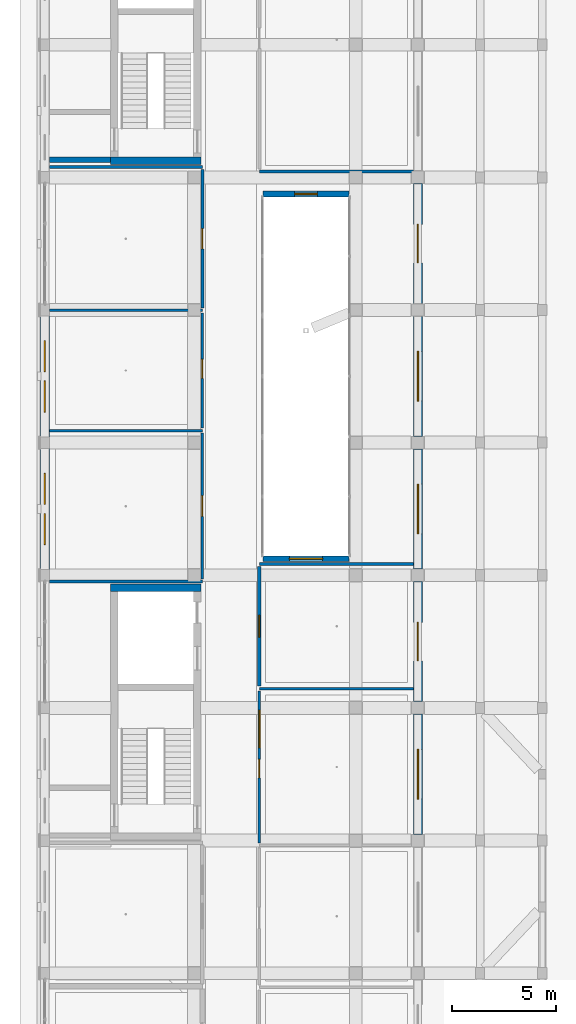
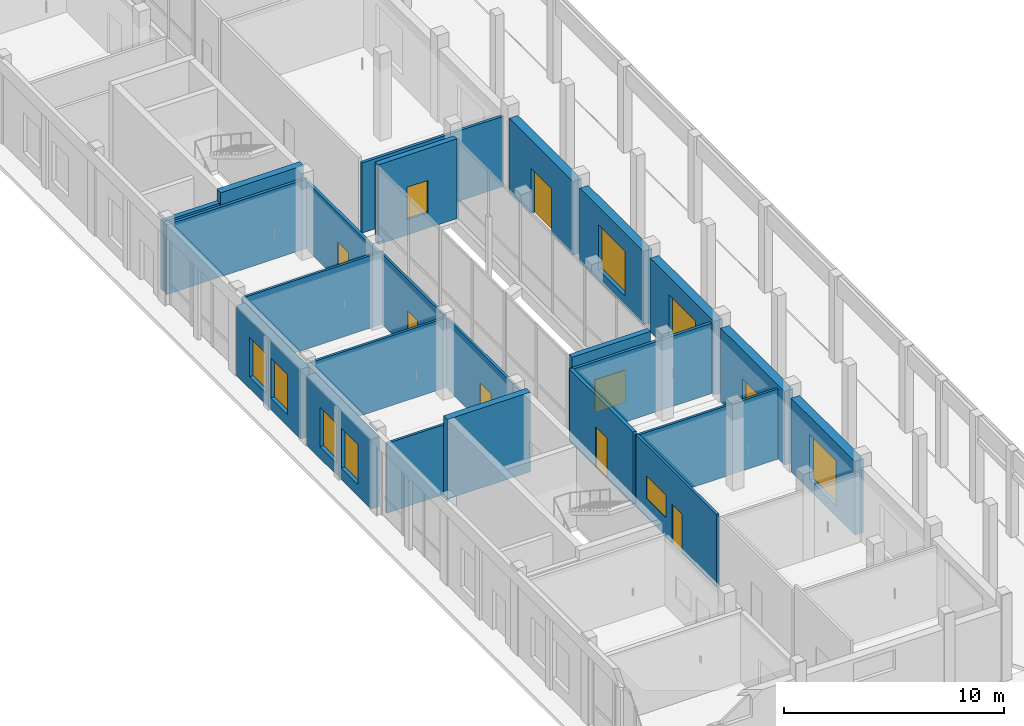
# One storey, part 47 of 88: 24 walls, 10 windows, 7 doors, 17 openings.
"""IFC4 building model written with IfcOpenShell, lengths in metres."""

import ifcopenshell
import ifcopenshell.guid

model = None  # the IFC model being written
_history = None  # IfcOwnerHistory: only IFC2X3 demands one
_inside = {}  # id of a spatial element -> (the spatial element, [elements in it])
_under = {}  # id of a project, library or spatial element -> (it, [spatial elements below it])
_declared = {}  # id of a project -> (the project, [libraries it declares])
_typed = {}  # id of a type object -> (the type object, [elements of that type])
_made_of = {}  # id of a material, layer set ... -> (it, [elements and type objects made of it])


def new_model(schema):
    """Start an empty IFC model of exactly this schema.

    Asked for "IFC4X3", IfcOpenShell would pick the latest addendum, in which some entities
    have other attributes; the version numbers below select the first issue.
    IFC2X3 requires an IfcOwnerHistory on every rooted entity: one is made here for all.
    """
    global model, _history
    if schema == "IFC4X3":
        model = ifcopenshell.file(schema_version=(4, 3, 0, 0))
    else:
        model = ifcopenshell.file(schema=schema)
    _inside.clear()
    _under.clear()
    _declared.clear()
    _typed.clear()
    _made_of.clear()
    _history = None
    if model.schema == "IFC2X3":
        org = make("IfcOrganization", Name="unknown")
        user = make(
            "IfcPersonAndOrganization",
            ThePerson=make("IfcPerson", FamilyName="unknown"),
            TheOrganization=org,
        )
        app = make(
            "IfcApplication",
            ApplicationDeveloper=org,
            Version="unknown",
            ApplicationFullName="unknown",
            ApplicationIdentifier="unknown",
        )
        _history = make(
            "IfcOwnerHistory",
            OwningUser=user,
            OwningApplication=app,
            ChangeAction="ADDED",
            CreationDate=0,
        )
    return model


def make(cls, **values):
    """One entity of the class cls with the attributes given. An attribute that is None is left unset."""
    return model.create_entity(
        cls, **{name: value for name, value in values.items() if value is not None}
    )


def rooted(cls, **values):
    """An entity with a GlobalId (a new one), such as an element, a storey or a relation."""
    return make(cls, GlobalId=ifcopenshell.guid.new(), OwnerHistory=_history, **values)


def si_unit(unit_type, name, prefix=None):
    """IfcSIUnit, for example si_unit("LENGTHUNIT", "METRE", prefix="MILLI")."""
    return make("IfcSIUnit", UnitType=unit_type, Prefix=prefix, Name=name)


def derived_unit(unit_type, elements):
    """IfcDerivedUnit: a product of units, each with its exponent."""
    return make(
        "IfcDerivedUnit",
        Elements=[
            make("IfcDerivedUnitElement", Unit=unit, Exponent=power)
            for unit, power in elements
        ],
        UnitType=unit_type,
    )


def assignment(units):
    """IfcUnitAssignment: the units of a project."""
    return None if units is None else make("IfcUnitAssignment", Units=units)


def point(xyz):
    """IfcCartesianPoint."""
    return None if xyz is None else make("IfcCartesianPoint", Coordinates=xyz)


def direction(xyz):
    """IfcDirection."""
    return None if xyz is None else make("IfcDirection", DirectionRatios=xyz)


def frame(location, z_axis=None, x_axis=None):
    """IfcAxis2Placement3D, a coordinate frame: its origin and axes. An axis left out is left unset."""
    return make(
        "IfcAxis2Placement3D",
        Location=point(location),
        Axis=direction(z_axis),
        RefDirection=direction(x_axis),
    )


def frame_2d(location, x_axis=None):
    """IfcAxis2Placement2D, a coordinate frame in the plane: its origin and x axis."""
    return make(
        "IfcAxis2Placement2D", Location=point(location), RefDirection=direction(x_axis)
    )


def origin():
    """The frame at (0, 0, 0) with its axes left unset."""
    return frame((0.0, 0.0, 0.0))


def origin_with_axes():
    """The frame at (0, 0, 0) with the z axis (0, 0, 1) and the x axis (1, 0, 0) written out."""
    return frame((0.0, 0.0, 0.0), z_axis=(0.0, 0.0, 1.0), x_axis=(1.0, 0.0, 0.0))


def place(relative_to, where):
    """IfcLocalPlacement: puts the frame where relative to a parent placement (None: the world)."""
    return make(
        "IfcLocalPlacement", PlacementRelTo=relative_to, RelativePlacement=where
    )


def context(
    kind, dimensions, precision=None, world=None, true_north=None, identifier=None
):
    """IfcGeometricRepresentationContext, for example the 3D "Model" context."""
    return make(
        "IfcGeometricRepresentationContext",
        ContextIdentifier=identifier,
        ContextType=kind,
        CoordinateSpaceDimension=dimensions,
        Precision=precision,
        WorldCoordinateSystem=world,
        TrueNorth=true_north,
    )


def subcontext(parent, identifier, kind, view, scale=None):
    """IfcGeometricRepresentationSubContext, for example "Body" below "Model"."""
    return make(
        "IfcGeometricRepresentationSubContext",
        ContextIdentifier=identifier,
        ContextType=kind,
        ParentContext=parent,
        TargetScale=scale,
        TargetView=view,
    )


def project(units=None, contexts=None):
    """IfcProject with its units and contexts."""
    return rooted(
        "IfcProject",
        Name="project",
        RepresentationContexts=contexts,
        UnitsInContext=assignment(units),
    )


def spatial(cls, under=None, at=None, **own):
    """A site, building, storey or space (cls), placed at a placement, below another one or the project."""
    s = rooted(cls, ObjectPlacement=at, **own)
    if under is not None:
        _under.setdefault(under.id(), (under, []))[1].append(s)
    return s


def profile(cls, at=None, kind="AREA", **sizes):
    """A parametric profile (cls). Its sizes go by their IFC names, for example OverallWidth=200.0."""
    return make(cls, ProfileType=kind, Position=at, **sizes)


def rectangle(**sizes):
    """IfcRectangleProfileDef."""
    return profile("IfcRectangleProfileDef", **sizes)


def extrude(swept, where, along, depth):
    """IfcExtrudedAreaSolid: the profile swept, set in the frame where, extruded along a direction by depth."""
    return make(
        "IfcExtrudedAreaSolid",
        SweptArea=swept,
        Position=where,
        ExtrudedDirection=direction(along),
        Depth=depth,
    )


def shape(context_of_items, identifier, shape_type, items):
    """IfcShapeRepresentation: the items that make up one representation, for example the "Body"."""
    return make(
        "IfcShapeRepresentation",
        ContextOfItems=context_of_items,
        RepresentationIdentifier=identifier,
        RepresentationType=shape_type,
        Items=items,
    )


def material(Name=None, Category=None):
    """IfcMaterial."""
    return make("IfcMaterial", Name=Name, Category=Category)


def layer(
    of_material, thickness, ventilated=None, Name=None, Category=None, Priority=None
):
    """IfcMaterialLayer: one layer of a wall or slab, of a material (None: an air gap)."""
    return make(
        "IfcMaterialLayer",
        Material=of_material,
        LayerThickness=thickness,
        IsVentilated=ventilated,
        Name=Name,
        Category=Category,
        Priority=Priority,
    )


def layer_set(layers, Name=None):
    """IfcMaterialLayerSet."""
    return make("IfcMaterialLayerSet", MaterialLayers=layers, LayerSetName=Name)


def made_of(thing, what):
    """Note that an element or type object is made of a material, layer set ...; save() writes the relation."""
    if what is not None:
        _made_of.setdefault(what.id(), (what, []))[1].append(thing)
    return thing


def type_object(cls, material=None, **own):
    """A type object (cls), such as IfcWallType, which elements share."""
    return made_of(rooted(cls, **own), material)


def element(
    cls,
    number,
    at=None,
    inside=None,
    cuts=None,
    type_object=None,
    material=None,
    context=None,
    identifier="Body",
    shape_type=None,
    held_by="IfcProductDefinitionShape",
    body=None,
    shapes=None,
    **own,
):
    """One element of the class cls, such as IfcWall. Its Tag is "e" and its number.

    at: its placement. inside: the storey or other place that contains it. cuts: it is an
    opening in that element (IfcRelVoidsElement). A single representation is given by context,
    identifier, shape_type and body (its items); several are given by shapes. held_by: the class
    of the entity that holds the representations. save() writes the other relations.
    """
    e = rooted(cls, Tag="e%d" % number, ObjectPlacement=at, **own)
    if body is not None:
        shapes = [shape(context, identifier, shape_type, body)]
    if shapes is not None:
        e.Representation = make(held_by, Representations=shapes)
    if inside is not None:
        _inside.setdefault(inside.id(), (inside, []))[1].append(e)
    if cuts is not None:
        rooted(
            "IfcRelVoidsElement", RelatingBuildingElement=cuts, RelatedOpeningElement=e
        )
    if type_object is not None:
        _typed.setdefault(type_object.id(), (type_object, []))[1].append(e)
    return made_of(e, material)


def fill(opening, filler):
    """IfcRelFillsElement: the door or window that sits in an opening."""
    return rooted(
        "IfcRelFillsElement",
        RelatingOpeningElement=opening,
        RelatedBuildingElement=filler,
    )


def aggregate(whole, parts):
    """IfcRelAggregates: a whole, such as a stair, and the parts it consists of."""
    return rooted("IfcRelAggregates", RelatingObject=whole, RelatedObjects=parts)


def save(model, path):
    """Write the relations noted so far, then the file.

    IfcRelAggregates (storeys below a building ...), IfcRelContainedInSpatialStructure (elements
    in a storey), IfcRelDefinesByType, IfcRelAssociatesMaterial and IfcRelDeclares: one each for
    every whole, place, type object, material and project.
    """
    for whole, parts in _under.values():
        aggregate(whole, parts)
    for where, things in _inside.values():
        rooted(
            "IfcRelContainedInSpatialStructure",
            RelatedElements=things,
            RelatingStructure=where,
        )
    for kind, things in _typed.values():
        rooted("IfcRelDefinesByType", RelatedObjects=things, RelatingType=kind)
    for what, things in _made_of.values():
        rooted("IfcRelAssociatesMaterial", RelatedObjects=things, RelatingMaterial=what)
    for by, libraries in _declared.values():
        rooted("IfcRelDeclares", RelatingContext=by, RelatedDefinitions=libraries)
    model.write(path)


model = new_model("IFC4")

# Units and contexts
model_context = context("Model", 3, precision=1e-05, world=origin(), true_north=direction((0.0, 1.0)))
body_context = subcontext(model_context, "Body", "Model", "MODEL_VIEW")
ifc_project = project(units=[si_unit("LENGTHUNIT", "METRE"), si_unit("AREAUNIT", "SQUARE_METRE"), si_unit("VOLUMEUNIT", "CUBIC_METRE"), si_unit("PLANEANGLEUNIT", "RADIAN"), si_unit("MASSUNIT", "GRAM", prefix="KILO"), derived_unit("THERMALTRANSMITTANCEUNIT", [(si_unit("POWERUNIT", "WATT"), 1), (si_unit("LENGTHUNIT", "METRE"), -2), (si_unit("THERMODYNAMICTEMPERATUREUNIT", "KELVIN"), -1)])], contexts=[model_context])

# Site, building, storey
site_placement = place(None, origin())
site = spatial("IfcSite", under=ifc_project, at=site_placement, CompositionType="ELEMENT")
building_placement = place(site_placement, origin())
building = spatial("IfcBuilding", under=site, at=building_placement, Name="Braskholm Square Health Centre", CompositionType="ELEMENT")
storey_placement = place(building_placement, origin())
storey = spatial("IfcBuildingStorey", under=building, at=storey_placement, Name="L01", CompositionType="ELEMENT", Elevation=0.0)

# Wall, opening, door
ifc_material_1 = material(Name="Fire-rated gypsum board barrier")
ifc_layer_1 = layer(ifc_material_1, 0.175048828125)
ifc_layer_set_1 = layer_set([ifc_layer_1], Name="Fire-rated gypsum board barrier")
wall_type_1 = type_object("IfcWallType", Name="AmbulatoryFirePartition175", PredefinedType="PARTITIONING", material=ifc_layer_set_1)
wall_1_placement = place(storey_placement, frame((14.550048828125, 24.449951171875, 0.0), z_axis=(0.0, 0.0, 1.0), x_axis=(0.0, 1.0, 0.0)))
wall_1 = element("IfcWall", 1, at=wall_1_placement, inside=storey, type_object=wall_type_1, Name="Interior partition PWALL-L01-0056", PredefinedType="PARTITIONING", context=body_context, shape_type="SweptSolid", body=[
    extrude(rectangle(XDim=5.780029296875, YDim=0.175048828125, at=frame_2d((2.89013671875, 0.0))), origin(), (0.0, 0.0, 1.0), 4.014892578125),
])
opening_1_placement = place(wall_1_placement, frame((2.364990234375, 0.0, 0.0)))
opening_1 = element("IfcOpeningElement", 2, at=opening_1_placement, cuts=wall_1, Name="Opening D-29", PredefinedType="OPENING", context=body_context, shape_type="SweptSolid", body=[
    extrude(rectangle(XDim=1.050048828125, YDim=2.239990234375, at=frame_2d((0.52490234375, 1.1201171875))), frame((0.0, 0.09765625, 0.0), z_axis=(0.0, -1.0, 0.0), x_axis=(1.0, 0.0, 0.0)), (0.0, 0.0, 1.0), 0.195068359375),
])
ifc_material_2 = material(Name="Architectural bronze anodised aluminium", Category="aluminium")
door_type_1 = type_object("IfcDoorType", Name="DoorLabSingle1050x2240", OperationType="NOTDEFINED", PredefinedType="DOOR", material=ifc_material_2)
door_1_placement = place(opening_1_placement, frame((1.050048828125, 0.0, 0.0), z_axis=(0.0, 0.0, 1.0), x_axis=(-1.0, 0.0, 0.0)))
door_1 = element("IfcDoor", 3, at=door_1_placement, inside=storey, type_object=door_type_1, Name="Interior door 0025 L01", OperationType="SINGLE_SWING_RIGHT", OverallHeight=2.239990234375, OverallWidth=1.050048828125, PredefinedType="DOOR", context=body_context, shape_type="SweptSolid", body=[
    extrude(rectangle(XDim=1.050048828125, YDim=2.239990234375, at=frame_2d((0.52490234375, 1.1201171875))), frame((0.0, 0.02490234375, 0.0), z_axis=(0.0, -1.0, 0.0), x_axis=(1.0, 0.0, 0.0)), (0.0, 0.0, 1.0), 0.050048828125),
])
fill(opening_1, door_1)

ifc_material_3 = material(Name="Acoustic gypsum board partition")
ifc_layer_2 = layer(ifc_material_3, 0.125)
ifc_layer_set_2 = layer_set([ifc_layer_2], Name="Acoustic gypsum board partition")
wall_type_2 = type_object("IfcWallType", Name="ClinicalExamPartition125", PredefinedType="PARTITIONING", material=ifc_layer_set_2)
wall_2_placement = place(storey_placement, frame((11.800048828125, 29.6201171875, 0.0), z_axis=(0.0, 0.0, 1.0), x_axis=(0.0, 1.0, 0.0)))
wall_2 = element("IfcWall", 4, at=wall_2_placement, inside=storey, type_object=wall_type_2, Name="Interior partition PWALL-L01-0028", PredefinedType="PARTITIONING", context=body_context, shape_type="SweptSolid", body=[
    extrude(rectangle(XDim=7.039794921875, YDim=0.125, at=frame_2d((3.52001953125, 0.0))), origin(), (0.0, 0.0, 1.0), 3.89501953125),
])
opening_2_placement = place(wall_2_placement, frame((3.02001953125, 0.0, 0.0)))
opening_2 = element("IfcOpeningElement", 5, at=opening_2_placement, cuts=wall_2, Name="Opening D-02", PredefinedType="OPENING", context=body_context, shape_type="SweptSolid", body=[
    extrude(rectangle(XDim=1.0, YDim=2.14990234375, at=frame_2d((0.5, 1.074951171875))), frame((0.0, 0.072509765625, 0.0), z_axis=(0.0, -1.0, 0.0), x_axis=(1.0, 0.0, 0.0)), (0.0, 0.0, 1.0), 0.14501953125),
])
door_type_2 = type_object("IfcDoorType", Name="DoorExamSingle1000x2150", OperationType="NOTDEFINED", PredefinedType="DOOR", material=ifc_material_2)
door_2_placement = place(opening_2_placement, origin_with_axes())
door_2 = element("IfcDoor", 6, at=door_2_placement, inside=storey, type_object=door_type_2, Name="Interior door 0012 L01", OperationType="SINGLE_SWING_RIGHT", OverallHeight=2.14990234375, OverallWidth=1.0, PredefinedType="DOOR", context=body_context, shape_type="SweptSolid", body=[
    extrude(rectangle(XDim=1.0, YDim=2.14990234375, at=frame_2d((0.5, 1.074951171875))), frame((0.0, 0.02490234375, 0.0), z_axis=(0.0, -1.0, 0.0), x_axis=(1.0, 0.0, 0.0)), (0.0, 0.0, 1.0), 0.050048828125),
])
fill(opening_2, door_2)

# Walls
for number, where, z_axis, x_axis, name in (
    (7, (4.425048828125, 36.780029296875, 0.0), (0.0, 0.0, 1.0), (1.0, 0.0, 0.0), "Interior partition PWALL-L01-0029"),
    (8, (4.425048828125, 29.5, 0.0), (0.0, 0.0, 1.0), (1.0, 0.0, 0.0), "Interior partition PWALL-L01-0030"),
):
    element("IfcWall", number, at=place(storey_placement, frame(where, z_axis=z_axis, x_axis=x_axis)), inside=storey, type_object=wall_type_2, Name=name, PredefinedType="PARTITIONING", context=body_context, shape_type="SweptSolid", body=[
        extrude(rectangle(XDim=7.375, YDim=0.125, at=frame_2d((3.6875, 0.0))), origin(), (0.0, 0.0, 1.0), 3.864990234375),
    ])

# Wall, opening, door
wall_3_placement = place(storey_placement, frame((11.800048828125, 36.89990234375, 0.0), z_axis=(0.0, 0.0, 1.0), x_axis=(0.0, 1.0, 0.0)))
wall_3 = element("IfcWall", 9, at=wall_3_placement, inside=storey, type_object=wall_type_2, Name="Interior partition PWALL-L01-0031", PredefinedType="PARTITIONING", context=body_context, shape_type="SweptSolid", body=[
    extrude(rectangle(XDim=5.56005859375, YDim=0.125, at=frame_2d((2.780029296875, 0.0))), origin(), (0.0, 0.0, 1.0), 3.89501953125),
])
opening_3_placement = place(wall_3_placement, frame((2.39599609375, 0.0, 0.0)))
opening_3 = element("IfcOpeningElement", 10, at=opening_3_placement, cuts=wall_3, Name="Opening D-01", PredefinedType="OPENING", context=body_context, shape_type="SweptSolid", body=[
    extrude(rectangle(XDim=0.919921875, YDim=2.14990234375, at=frame_2d((0.4599609375, 1.074951171875))), frame((0.0, 0.072509765625, 0.0), z_axis=(0.0, -1.0, 0.0), x_axis=(1.0, 0.0, 0.0)), (0.0, 0.0, 1.0), 0.14501953125),
])
door_type_3 = type_object("IfcDoorType", Name="DoorConsultSingle920x2150", OperationType="NOTDEFINED", PredefinedType="DOOR", material=ifc_material_2)
door_3_placement = place(opening_3_placement, origin_with_axes())
door_3 = element("IfcDoor", 11, at=door_3_placement, inside=storey, type_object=door_type_3, Name="Interior door 0013 L01", OperationType="SINGLE_SWING_LEFT", OverallHeight=2.14990234375, OverallWidth=0.919921875, PredefinedType="DOOR", context=body_context, shape_type="SweptSolid", body=[
    extrude(rectangle(XDim=0.919921875, YDim=2.14990234375, at=frame_2d((0.4599609375, 1.074951171875))), frame((0.0, 0.02490234375, 0.0), z_axis=(0.0, -1.0, 0.0), x_axis=(1.0, 0.0, 0.0)), (0.0, 0.0, 1.0), 0.050048828125),
])
fill(opening_3, door_3)

# Wall
wall_4_placement = place(storey_placement, frame((4.425048828125, 42.580078125, 0.0), z_axis=(0.0, 0.0, 1.0), x_axis=(1.0, 0.0, 0.0)))
element("IfcWall", 12, at=wall_4_placement, inside=storey, type_object=wall_type_2, Name="Interior partition PWALL-L01-0032", PredefinedType="PARTITIONING", context=body_context, shape_type="SweptSolid", body=[
    extrude(rectangle(XDim=7.375, YDim=0.125, at=frame_2d((3.6875, 0.0))), origin(), (0.0, 0.0, 1.0), 4.014892578125),
])

# Wall, openings, door, window
wall_5_placement = place(storey_placement, frame((14.550048828125, 16.889892578125, 0.0), z_axis=(0.0, 0.0, 1.0), x_axis=(0.0, 1.0, 0.0)))
wall_5 = element("IfcWall", 13, at=wall_5_placement, inside=storey, type_object=wall_type_2, Name="Interior partition PWALL-L01-0054", PredefinedType="PARTITIONING", context=body_context, shape_type="SweptSolid", body=[
    extrude(rectangle(XDim=7.320068359375, YDim=0.125, at=frame_2d((3.66015625, 0.0))), origin(), (0.0, 0.0, 1.0), 4.014892578125),
])
opening_4_placement = place(wall_5_placement, frame((3.134033203125, 0.0, 0.0)))
opening_4 = element("IfcOpeningElement", 14, at=opening_4_placement, cuts=wall_5, Name="Opening D-07", PredefinedType="OPENING", context=body_context, shape_type="SweptSolid", body=[
    extrude(rectangle(XDim=0.89990234375, YDim=2.1201171875, at=frame_2d((0.449951171875, 1.06005859375))), frame((0.0, 0.072509765625, 0.0), z_axis=(0.0, -1.0, 0.0), x_axis=(1.0, 0.0, 0.0)), (0.0, 0.0, 1.0), 0.14501953125),
])
opening_5_placement = place(wall_5_placement, frame((4.590087890625, 0.0, 1.050048828125)))
opening_5 = element("IfcOpeningElement", 15, at=opening_5_placement, cuts=wall_5, Name="Opening WN-31", PredefinedType="OPENING", context=body_context, shape_type="SweptSolid", body=[
    extrude(rectangle(XDim=1.800048828125, YDim=1.25, at=frame_2d((0.89990234375, 0.625))), frame((0.0, 0.072509765625, 0.0), z_axis=(0.0, -1.0, 0.0), x_axis=(1.0, 0.0, 0.0)), (0.0, 0.0, 1.0), 0.14501953125),
])
door_type_4 = type_object("IfcDoorType", Name="DoorProviderOffice900x2120", OperationType="NOTDEFINED", PredefinedType="DOOR", material=ifc_material_2)
door_4_placement = place(opening_4_placement, frame((0.89990234375, 0.0, 0.0), z_axis=(0.0, 0.0, 1.0), x_axis=(-1.0, 0.0, 0.0)))
door_4 = element("IfcDoor", 16, at=door_4_placement, inside=storey, type_object=door_type_4, Name="Interior door 0024 L01", OperationType="SINGLE_SWING_LEFT", OverallHeight=2.1201171875, OverallWidth=0.89990234375, PredefinedType="DOOR", context=body_context, shape_type="SweptSolid", body=[
    extrude(rectangle(XDim=0.89990234375, YDim=2.1201171875, at=frame_2d((0.449951171875, 1.06005859375))), frame((0.0, 0.02490234375, 0.0), z_axis=(0.0, -1.0, 0.0), x_axis=(1.0, 0.0, 0.0)), (0.0, 0.0, 1.0), 0.050048828125),
])
fill(opening_4, door_4)
ifc_material_4 = material(Name="Low-E triple insulating glass (VLT 0.64)", Category="glass")
window_type_1 = type_object("IfcWindowType", Name="WinInteriorObservation1800x1250", PartitioningType="SINGLE_PANEL", PredefinedType="WINDOW", material=ifc_material_4)
window_1_placement = place(opening_5_placement, origin_with_axes())
window_1 = element("IfcWindow", 17, at=window_1_placement, inside=storey, type_object=window_type_1, Name="Interior observation window 002 L01", OverallHeight=1.25, OverallWidth=1.800048828125, PartitioningType="SINGLE_PANEL", PredefinedType="WINDOW", context=body_context, shape_type="SweptSolid", body=[
    extrude(rectangle(XDim=1.800048828125, YDim=1.25, at=frame_2d((0.89990234375, 0.625))), frame((0.0, 0.030029296875, 0.0), z_axis=(0.0, -1.0, 0.0), x_axis=(1.0, 0.0, 0.0)), (0.0, 0.0, 1.0), 0.06005859375),
])
fill(opening_5, window_1)

# Wall
wall_6_placement = place(storey_placement, frame((14.550048828125, 24.330078125, 0.0), z_axis=(0.0, 0.0, 1.0), x_axis=(1.0, 0.0, 0.0)))
element("IfcWall", 18, at=wall_6_placement, inside=storey, type_object=wall_type_2, Name="Interior partition PWALL-L01-0055", PredefinedType="PARTITIONING", context=body_context, shape_type="SweptSolid", body=[
    extrude(rectangle(XDim=7.425048828125, YDim=0.125, at=frame_2d((3.71240234375, 0.0))), origin(), (0.0, 0.0, 1.0), 3.89501953125),
])

# Wall, opening, door
ifc_layer_3 = layer(ifc_material_3, 0.14990234375)
ifc_layer_set_3 = layer_set([ifc_layer_3], Name="Acoustic gypsum board partition")
wall_type_3 = type_object("IfcWallType", Name="CorridorAcousticPartition150", PredefinedType="PARTITIONING", material=ifc_layer_set_3)
wall_7_placement = place(storey_placement, frame((11.800048828125, 42.699951171875, 0.0), z_axis=(0.0, 0.0, 1.0), x_axis=(0.0, 1.0, 0.0)))
wall_7 = element("IfcWall", 19, at=wall_7_placement, inside=storey, type_object=wall_type_3, Name="Interior partition PWALL-L01-0033", PredefinedType="PARTITIONING", context=body_context, shape_type="SweptSolid", body=[
    extrude(rectangle(XDim=6.679931640625, YDim=0.14990234375, at=frame_2d((3.33984375, 0.0))), origin(), (0.0, 0.0, 1.0), 3.764892578125),
])
opening_6_placement = place(wall_7_placement, frame((2.85009765625, 0.0, 0.0)))
opening_6 = element("IfcOpeningElement", 20, at=opening_6_placement, cuts=wall_7, Name="Opening D-10", PredefinedType="OPENING", context=body_context, shape_type="SweptSolid", body=[
    extrude(rectangle(XDim=0.97998046875, YDim=2.1201171875, at=frame_2d((0.489990234375, 1.06005859375))), frame((0.0, 0.0849609375, 0.0), z_axis=(0.0, -1.0, 0.0), x_axis=(1.0, 0.0, 0.0)), (0.0, 0.0, 1.0), 0.169921875),
])
door_type_5 = type_object("IfcDoorType", Name="DoorUtilityStore980x2120", OperationType="NOTDEFINED", PredefinedType="DOOR", material=ifc_material_2)
door_5_placement = place(opening_6_placement, origin_with_axes())
door_5 = element("IfcDoor", 21, at=door_5_placement, inside=storey, type_object=door_type_5, Name="Interior door 0014 L01", OperationType="SINGLE_SWING_RIGHT", OverallHeight=2.1201171875, OverallWidth=0.97998046875, PredefinedType="DOOR", context=body_context, shape_type="SweptSolid", body=[
    extrude(rectangle(XDim=0.97998046875, YDim=2.1201171875, at=frame_2d((0.489990234375, 1.06005859375))), frame((0.0, 0.02490234375, 0.0), z_axis=(0.0, -1.0, 0.0), x_axis=(1.0, 0.0, 0.0)), (0.0, 0.0, 1.0), 0.050048828125),
])
fill(opening_6, door_5)

# Walls
wall_8_placement = place(storey_placement, frame((4.425048828125, 49.5, 0.0), z_axis=(0.0, 0.0, 1.0), x_axis=(1.0, 0.0, 0.0)))
element("IfcWall", 22, at=wall_8_placement, inside=storey, type_object=wall_type_3, Name="Interior partition PWALL-L01-0034", PredefinedType="PARTITIONING", context=body_context, shape_type="SweptSolid", body=[
    extrude(rectangle(XDim=7.375, YDim=0.14990234375, at=frame_2d((3.6875, 0.0))), origin(), (0.0, 0.0, 1.0), 3.864990234375),
])
for number, where, z_axis, x_axis, name in (
    (23, (14.550048828125, 30.35009765625, 0.0), (0.0, 0.0, 1.0), (1.0, 0.0, 0.0), "Interior partition PWALL-L01-0057"),
    (24, (14.550048828125, 49.280029296875, 0.0), (0.0, 0.0, 1.0), (1.0, 0.0, 0.0), "Interior partition PWALL-L01-0059"),
):
    element("IfcWall", number, at=place(storey_placement, frame(where, z_axis=z_axis, x_axis=x_axis)), inside=storey, type_object=wall_type_3, Name=name, PredefinedType="PARTITIONING", context=body_context, shape_type="SweptSolid", body=[
        extrude(rectangle(XDim=7.425048828125, YDim=0.14990234375, at=frame_2d((3.71240234375, 0.0))), origin(), (0.0, 0.0, 1.0), 3.89501953125),
    ])

# Wall, openings, windows
ifc_material_5 = material(Name="Mankato-Kasota dolomitic limestone ashlar", Category="masonry")
ifc_layer_4 = layer(ifc_material_5, 0.449951171875)
ifc_layer_set_4 = layer_set([ifc_layer_4], Name="Mankato-Kasota dolomitic limestone ashlar")
wall_type_4 = type_object("IfcWallType", Name="ExteriorKasotaWall450", PredefinedType="SOLIDWALL", material=ifc_layer_set_4)
wall_9_placement = place(storey_placement, frame((4.199951171875, 35.91796875, 0.0), z_axis=(0.0, 0.0, 1.0), x_axis=(0.0, -1.0, 0.0)))
wall_9 = element("IfcWall", 25, at=wall_9_placement, inside=storey, type_object=wall_type_4, Name="Exterior wall EWALL-L01-0003", PredefinedType="SOLIDWALL", context=body_context, shape_type="SweptSolid", body=[
    extrude(rectangle(XDim=5.8359375, YDim=0.449951171875, at=frame_2d((2.91796875, 0.0))), origin(), (0.0, 0.0, 1.0), 3.8701171875),
])
opening_7_placement = place(wall_9_placement, frame((1.195068359375, 0.0, 0.64990234375)))
opening_7 = element("IfcOpeningElement", 26, at=opening_7_placement, cuts=wall_9, Name="Opening WN-03", PredefinedType="OPENING", context=body_context, shape_type="SweptSolid", body=[
    extrude(rectangle(XDim=1.5, YDim=2.199951171875, at=frame_2d((0.75, 1.10009765625))), frame((0.0, 0.23486328125, 0.0), z_axis=(0.0, -1.0, 0.0), x_axis=(1.0, 0.0, 0.0)), (0.0, 0.0, 1.0), 0.469970703125),
])
opening_8_placement = place(wall_9_placement, frame((3.14111328125, 0.0, 0.64990234375)))
opening_8 = element("IfcOpeningElement", 27, at=opening_8_placement, cuts=wall_9, Name="Opening WN-03", PredefinedType="OPENING", context=body_context, shape_type="SweptSolid", body=[
    extrude(rectangle(XDim=1.5, YDim=2.199951171875, at=frame_2d((0.75, 1.10009765625))), frame((0.0, 0.23486328125, 0.0), z_axis=(0.0, -1.0, 0.0), x_axis=(1.0, 0.0, 0.0)), (0.0, 0.0, 1.0), 0.469970703125),
])
window_type_2 = type_object("IfcWindowType", Name="WinArtDecoTwin1500x2200", PartitioningType="SINGLE_PANEL", PredefinedType="WINDOW", material=ifc_material_4)
window_2_placement = place(opening_7_placement, origin_with_axes())
window_2 = element("IfcWindow", 28, at=window_2_placement, inside=storey, type_object=window_type_2, Name="Exterior window 0004 L01", OverallHeight=2.199951171875, OverallWidth=1.5, PartitioningType="SINGLE_PANEL", PredefinedType="WINDOW", context=body_context, shape_type="SweptSolid", body=[
    extrude(rectangle(XDim=1.5, YDim=2.199951171875, at=frame_2d((0.75, 1.10009765625))), frame((0.0, 0.030029296875, 0.0), z_axis=(0.0, -1.0, 0.0), x_axis=(1.0, 0.0, 0.0)), (0.0, 0.0, 1.0), 0.06005859375),
])
fill(opening_7, window_2)
window_3_placement = place(opening_8_placement, origin_with_axes())
window_3 = element("IfcWindow", 29, at=window_3_placement, inside=storey, type_object=window_type_2, Name="Exterior window 0005 L01", OverallHeight=2.199951171875, OverallWidth=1.5, PartitioningType="SINGLE_PANEL", PredefinedType="WINDOW", context=body_context, shape_type="SweptSolid", body=[
    extrude(rectangle(XDim=1.5, YDim=2.199951171875, at=frame_2d((0.75, 1.10009765625))), frame((0.0, 0.030029296875, 0.0), z_axis=(0.0, -1.0, 0.0), x_axis=(1.0, 0.0, 0.0)), (0.0, 0.0, 1.0), 0.06005859375),
])
fill(opening_8, window_3)

wall_10_placement = place(storey_placement, frame((4.199951171875, 42.318115234375, 0.0), z_axis=(0.0, 0.0, 1.0), x_axis=(0.0, -1.0, 0.0)))
wall_10 = element("IfcWall", 30, at=wall_10_placement, inside=storey, type_object=wall_type_4, Name="Exterior wall EWALL-L01-0004", PredefinedType="SOLIDWALL", context=body_context, shape_type="SweptSolid", body=[
    extrude(rectangle(XDim=5.836181640625, YDim=0.449951171875, at=frame_2d((2.91796875, 0.0))), origin(), (0.0, 0.0, 1.0), 3.8701171875),
])
opening_9_placement = place(wall_10_placement, frame((1.195068359375, 0.0, 0.64990234375)))
opening_9 = element("IfcOpeningElement", 31, at=opening_9_placement, cuts=wall_10, Name="Opening WN-03", PredefinedType="OPENING", context=body_context, shape_type="SweptSolid", body=[
    extrude(rectangle(XDim=1.5, YDim=2.199951171875, at=frame_2d((0.75, 1.10009765625))), frame((0.0, 0.23486328125, 0.0), z_axis=(0.0, -1.0, 0.0), x_axis=(1.0, 0.0, 0.0)), (0.0, 0.0, 1.0), 0.469970703125),
])
opening_10_placement = place(wall_10_placement, frame((3.14111328125, 0.0, 0.64990234375)))
opening_10 = element("IfcOpeningElement", 32, at=opening_10_placement, cuts=wall_10, Name="Opening WN-03", PredefinedType="OPENING", context=body_context, shape_type="SweptSolid", body=[
    extrude(rectangle(XDim=1.5, YDim=2.199951171875, at=frame_2d((0.75, 1.10009765625))), frame((0.0, 0.23486328125, 0.0), z_axis=(0.0, -1.0, 0.0), x_axis=(1.0, 0.0, 0.0)), (0.0, 0.0, 1.0), 0.469970703125),
])
window_4_placement = place(opening_9_placement, origin_with_axes())
window_4 = element("IfcWindow", 33, at=window_4_placement, inside=storey, type_object=window_type_2, Name="Exterior window 0006 L01", OverallHeight=2.199951171875, OverallWidth=1.5, PartitioningType="SINGLE_PANEL", PredefinedType="WINDOW", context=body_context, shape_type="SweptSolid", body=[
    extrude(rectangle(XDim=1.5, YDim=2.199951171875, at=frame_2d((0.75, 1.10009765625))), frame((0.0, 0.030029296875, 0.0), z_axis=(0.0, -1.0, 0.0), x_axis=(1.0, 0.0, 0.0)), (0.0, 0.0, 1.0), 0.06005859375),
])
fill(opening_9, window_4)
window_5_placement = place(opening_10_placement, origin_with_axes())
window_5 = element("IfcWindow", 34, at=window_5_placement, inside=storey, type_object=window_type_2, Name="Exterior window 0007 L01", OverallHeight=2.199951171875, OverallWidth=1.5, PartitioningType="SINGLE_PANEL", PredefinedType="WINDOW", context=body_context, shape_type="SweptSolid", body=[
    extrude(rectangle(XDim=1.5, YDim=2.199951171875, at=frame_2d((0.75, 1.10009765625))), frame((0.0, 0.030029296875, 0.0), z_axis=(0.0, -1.0, 0.0), x_axis=(1.0, 0.0, 0.0)), (0.0, 0.0, 1.0), 0.06005859375),
])
fill(opening_10, window_5)

# Wall, opening, window
wall_11_placement = place(storey_placement, frame((22.199951171875, 17.302001953125, 0.0), z_axis=(0.0, 0.0, 1.0), x_axis=(0.0, 1.0, 0.0)))
wall_11 = element("IfcWall", 35, at=wall_11_placement, inside=storey, type_object=wall_type_4, Name="Exterior wall EWALL-L01-0096", PredefinedType="SOLIDWALL", context=body_context, shape_type="SweptSolid", body=[
    extrude(rectangle(XDim=5.7958984375, YDim=0.449951171875, at=frame_2d((2.89794921875, 0.0))), origin(), (0.0, 0.0, 1.0), 4.090087890625),
])
opening_11_placement = place(wall_11_placement, frame((1.697998046875, 0.0, 0.60009765625)))
opening_11 = element("IfcOpeningElement", 36, at=opening_11_placement, cuts=wall_11, Name="Opening WN-05", PredefinedType="OPENING", context=body_context, shape_type="SweptSolid", body=[
    extrude(rectangle(XDim=2.39990234375, YDim=2.5, at=frame_2d((1.199951171875, 1.25))), frame((0.0, 0.23486328125, 0.0), z_axis=(0.0, -1.0, 0.0), x_axis=(1.0, 0.0, 0.0)), (0.0, 0.0, 1.0), 0.469970703125),
])
window_type_3 = type_object("IfcWindowType", Name="WinStorefrontSquare2400x2500", PartitioningType="SINGLE_PANEL", PredefinedType="WINDOW", material=ifc_material_4)
window_6_placement = place(opening_11_placement, origin_with_axes())
window_6 = element("IfcWindow", 37, at=window_6_placement, inside=storey, type_object=window_type_3, Name="Exterior window 0170 L01", OverallHeight=2.5, OverallWidth=2.39990234375, PartitioningType="SINGLE_PANEL", PredefinedType="WINDOW", context=body_context, shape_type="SweptSolid", body=[
    extrude(rectangle(XDim=2.39990234375, YDim=2.5, at=frame_2d((1.199951171875, 1.25))), frame((0.0, 0.030029296875, 0.0), z_axis=(0.0, -1.0, 0.0), x_axis=(1.0, 0.0, 0.0)), (0.0, 0.0, 1.0), 0.06005859375),
])
fill(opening_11, window_6)

# Wall, opening, door
wall_12_placement = place(storey_placement, frame((22.199951171875, 23.701904296875, 0.0), z_axis=(0.0, 0.0, 1.0), x_axis=(0.0, 1.0, 0.0)))
wall_12 = element("IfcWall", 38, at=wall_12_placement, inside=storey, type_object=wall_type_4, Name="Exterior wall EWALL-L01-0097", PredefinedType="SOLIDWALL", context=body_context, shape_type="SweptSolid", body=[
    extrude(rectangle(XDim=5.796142578125, YDim=0.449951171875, at=frame_2d((2.89794921875, 0.0))), origin(), (0.0, 0.0, 1.0), 4.090087890625),
])
opening_12_placement = place(wall_12_placement, frame((1.968017578125, 0.0, 0.0)))
opening_12 = element("IfcOpeningElement", 39, at=opening_12_placement, cuts=wall_12, Name="Opening D-E2", PredefinedType="OPENING", context=body_context, shape_type="SweptSolid", body=[
    extrude(rectangle(XDim=1.860107421875, YDim=2.5, at=frame_2d((0.93017578125, 1.25))), frame((0.0, 0.23486328125, 0.0), z_axis=(0.0, -1.0, 0.0), x_axis=(1.0, 0.0, 0.0)), (0.0, 0.0, 1.0), 0.469970703125),
])
door_type_6 = type_object("IfcDoorType", Name="DoorSquareEntrancePair1860x2500", OperationType="DOUBLE_DOOR_SINGLE_SWING", PredefinedType="DOOR", material=ifc_material_4)
door_6_placement = place(opening_12_placement, frame((1.860107421875, 0.0, 0.0), z_axis=(0.0, 0.0, 1.0), x_axis=(-1.0, 0.0, 0.0)))
door_6 = element("IfcDoor", 40, at=door_6_placement, inside=storey, type_object=door_type_6, Name="Exterior door 0008 L01", OperationType="DOUBLE_DOOR_SINGLE_SWING", OverallHeight=2.5, OverallWidth=1.860107421875, PredefinedType="DOOR", context=body_context, shape_type="SweptSolid", body=[
    extrude(rectangle(XDim=1.860107421875, YDim=2.5, at=frame_2d((0.93017578125, 1.25))), frame((0.0, 0.02490234375, 0.0), z_axis=(0.0, -1.0, 0.0), x_axis=(1.0, 0.0, 0.0)), (0.0, 0.0, 1.0), 0.050048828125),
])
fill(opening_12, door_6)

# Wall, opening, window
wall_13_placement = place(storey_placement, frame((22.199951171875, 30.10205078125, 0.0), z_axis=(0.0, 0.0, 1.0), x_axis=(0.0, 1.0, 0.0)))
wall_13 = element("IfcWall", 41, at=wall_13_placement, inside=storey, type_object=wall_type_4, Name="Exterior wall EWALL-L01-0098", PredefinedType="SOLIDWALL", context=body_context, shape_type="SweptSolid", body=[
    extrude(rectangle(XDim=5.7958984375, YDim=0.449951171875, at=frame_2d((2.89794921875, 0.0))), origin(), (0.0, 0.0, 1.0), 4.090087890625),
])
opening_13_placement = place(wall_13_placement, frame((1.697998046875, 0.0, 0.60009765625)))
opening_13 = element("IfcOpeningElement", 42, at=opening_13_placement, cuts=wall_13, Name="Opening WN-05", PredefinedType="OPENING", context=body_context, shape_type="SweptSolid", body=[
    extrude(rectangle(XDim=2.39990234375, YDim=2.5, at=frame_2d((1.199951171875, 1.25))), frame((0.0, 0.23486328125, 0.0), z_axis=(0.0, -1.0, 0.0), x_axis=(1.0, 0.0, 0.0)), (0.0, 0.0, 1.0), 0.469970703125),
])
window_7_placement = place(opening_13_placement, origin_with_axes())
window_7 = element("IfcWindow", 43, at=window_7_placement, inside=storey, type_object=window_type_3, Name="Exterior window 0171 L01", OverallHeight=2.5, OverallWidth=2.39990234375, PartitioningType="SINGLE_PANEL", PredefinedType="WINDOW", context=body_context, shape_type="SweptSolid", body=[
    extrude(rectangle(XDim=2.39990234375, YDim=2.5, at=frame_2d((1.199951171875, 1.25))), frame((0.0, 0.030029296875, 0.0), z_axis=(0.0, -1.0, 0.0), x_axis=(1.0, 0.0, 0.0)), (0.0, 0.0, 1.0), 0.06005859375),
])
fill(opening_13, window_7)

wall_14_placement = place(storey_placement, frame((22.199951171875, 36.501953125, 0.0), z_axis=(0.0, 0.0, 1.0), x_axis=(0.0, 1.0, 0.0)))
wall_14 = element("IfcWall", 44, at=wall_14_placement, inside=storey, type_object=wall_type_4, Name="Exterior wall EWALL-L01-0099", PredefinedType="SOLIDWALL", context=body_context, shape_type="SweptSolid", body=[
    extrude(rectangle(XDim=5.796142578125, YDim=0.449951171875, at=frame_2d((2.89794921875, 0.0))), origin(), (0.0, 0.0, 1.0), 4.090087890625),
])
opening_14_placement = place(wall_14_placement, frame((1.697998046875, 0.0, 0.60009765625)))
opening_14 = element("IfcOpeningElement", 45, at=opening_14_placement, cuts=wall_14, Name="Opening WN-05", PredefinedType="OPENING", context=body_context, shape_type="SweptSolid", body=[
    extrude(rectangle(XDim=2.39990234375, YDim=2.5, at=frame_2d((1.199951171875, 1.25))), frame((0.0, 0.23486328125, 0.0), z_axis=(0.0, -1.0, 0.0), x_axis=(1.0, 0.0, 0.0)), (0.0, 0.0, 1.0), 0.469970703125),
])
window_8_placement = place(opening_14_placement, origin_with_axes())
window_8 = element("IfcWindow", 46, at=window_8_placement, inside=storey, type_object=window_type_3, Name="Exterior window 0172 L01", OverallHeight=2.5, OverallWidth=2.39990234375, PartitioningType="SINGLE_PANEL", PredefinedType="WINDOW", context=body_context, shape_type="SweptSolid", body=[
    extrude(rectangle(XDim=2.39990234375, YDim=2.5, at=frame_2d((1.199951171875, 1.25))), frame((0.0, 0.030029296875, 0.0), z_axis=(0.0, -1.0, 0.0), x_axis=(1.0, 0.0, 0.0)), (0.0, 0.0, 1.0), 0.06005859375),
])
fill(opening_14, window_8)

# Wall, opening, door
wall_15_placement = place(storey_placement, frame((22.199951171875, 42.902099609375, 0.0), z_axis=(0.0, 0.0, 1.0), x_axis=(0.0, 1.0, 0.0)))
wall_15 = element("IfcWall", 47, at=wall_15_placement, inside=storey, type_object=wall_type_4, Name="Exterior wall EWALL-L01-0100", PredefinedType="SOLIDWALL", context=body_context, shape_type="SweptSolid", body=[
    extrude(rectangle(XDim=5.7958984375, YDim=0.449951171875, at=frame_2d((2.89794921875, 0.0))), origin(), (0.0, 0.0, 1.0), 4.090087890625),
])
opening_15_placement = place(wall_15_placement, frame((1.968017578125, 0.0, 0.0)))
opening_15 = element("IfcOpeningElement", 48, at=opening_15_placement, cuts=wall_15, Name="Opening D-E2", PredefinedType="OPENING", context=body_context, shape_type="SweptSolid", body=[
    extrude(rectangle(XDim=1.860107421875, YDim=2.5, at=frame_2d((0.93017578125, 1.25))), frame((0.0, 0.23486328125, 0.0), z_axis=(0.0, -1.0, 0.0), x_axis=(1.0, 0.0, 0.0)), (0.0, 0.0, 1.0), 0.469970703125),
])
door_7_placement = place(opening_15_placement, frame((1.860107421875, 0.0, 0.0), z_axis=(0.0, 0.0, 1.0), x_axis=(-1.0, 0.0, 0.0)))
door_7 = element("IfcDoor", 49, at=door_7_placement, inside=storey, type_object=door_type_6, Name="Exterior door 0009 L01", OperationType="DOUBLE_DOOR_SINGLE_SWING", OverallHeight=2.5, OverallWidth=1.860107421875, PredefinedType="DOOR", context=body_context, shape_type="SweptSolid", body=[
    extrude(rectangle(XDim=1.860107421875, YDim=2.5, at=frame_2d((0.93017578125, 1.25))), frame((0.0, 0.02490234375, 0.0), z_axis=(0.0, -1.0, 0.0), x_axis=(1.0, 0.0, 0.0)), (0.0, 0.0, 1.0), 0.050048828125),
])
fill(opening_15, door_7)

# Wall, opening, window
ifc_material_6 = material(Name="Precast concrete C40/50 architectural white", Category="concrete")
ifc_layer_5 = layer(ifc_material_6, 0.280029296875)
ifc_layer_set_5 = layer_set([ifc_layer_5], Name="Precast concrete C40/50 architectural white")
wall_type_5 = type_object("IfcWallType", Name="ExteriorPrecastSpandrelWall280", PredefinedType="SOLIDWALL", material=ifc_layer_set_5)
wall_16_placement = place(storey_placement, frame((18.865966796875, 30.60009765625, 0.0), z_axis=(0.0, 0.0, 1.0), x_axis=(-1.0, 0.0, 0.0)))
wall_16 = element("IfcWall", 50, at=wall_16_placement, inside=storey, type_object=wall_type_5, Name="Exterior wall EWALL-L01-0283", PredefinedType="SOLIDWALL", context=body_context, shape_type="SweptSolid", body=[
    extrude(rectangle(XDim=4.132080078125, YDim=0.280029296875, at=frame_2d((2.06591796875, 0.0))), origin(), (0.0, 0.0, 1.0), 4.419921875),
])
opening_16_placement = place(wall_16_placement, frame((1.26611328125, 0.0, 0.85009765625)))
opening_16 = element("IfcOpeningElement", 51, at=opening_16_placement, cuts=wall_16, Name="Opening WN-27", PredefinedType="OPENING", context=body_context, shape_type="SweptSolid", body=[
    extrude(rectangle(XDim=1.60009765625, YDim=1.800048828125, at=frame_2d((0.800048828125, 0.89990234375))), frame((0.0, 0.14990234375, 0.0), z_axis=(0.0, -1.0, 0.0), x_axis=(1.0, 0.0, 0.0)), (0.0, 0.0, 1.0), 0.300048828125),
])
window_type_4 = type_object("IfcWindowType", Name="WinLightCourt1600x1800", PartitioningType="SINGLE_PANEL", PredefinedType="WINDOW", material=ifc_material_4)
window_9_placement = place(opening_16_placement, origin_with_axes())
window_9 = element("IfcWindow", 52, at=window_9_placement, inside=storey, type_object=window_type_4, Name="Exterior window 0329 L01", OverallHeight=1.800048828125, OverallWidth=1.60009765625, PartitioningType="SINGLE_PANEL", PredefinedType="WINDOW", context=body_context, shape_type="SweptSolid", body=[
    extrude(rectangle(XDim=1.60009765625, YDim=1.800048828125, at=frame_2d((0.800048828125, 0.89990234375))), frame((0.0, 0.030029296875, 0.0), z_axis=(0.0, -1.0, 0.0), x_axis=(1.0, 0.0, 0.0)), (0.0, 0.0, 1.0), 0.06005859375),
])
fill(opening_16, window_9)

wall_17_placement = place(storey_placement, frame((14.73388671875, 48.199951171875, 0.0), z_axis=(0.0, 0.0, 1.0), x_axis=(1.0, 0.0, 0.0)))
wall_17 = element("IfcWall", 53, at=wall_17_placement, inside=storey, type_object=wall_type_5, Name="Exterior wall EWALL-L01-0284", PredefinedType="SOLIDWALL", context=body_context, shape_type="SweptSolid", body=[
    extrude(rectangle(XDim=4.132080078125, YDim=0.280029296875, at=frame_2d((2.06591796875, 0.0))), origin(), (0.0, 0.0, 1.0), 4.419921875),
])
opening_17_placement = place(wall_17_placement, frame((1.51611328125, 0.0, 0.85009765625)))
opening_17 = element("IfcOpeningElement", 54, at=opening_17_placement, cuts=wall_17, Name="Opening WN-26", PredefinedType="OPENING", context=body_context, shape_type="SweptSolid", body=[
    extrude(rectangle(XDim=1.10009765625, YDim=1.800048828125, at=frame_2d((0.550048828125, 0.89990234375))), frame((0.0, 0.14990234375, 0.0), z_axis=(0.0, -1.0, 0.0), x_axis=(1.0, 0.0, 0.0)), (0.0, 0.0, 1.0), 0.300048828125),
])
window_type_5 = type_object("IfcWindowType", Name="WinLightCourt1100x1800", PartitioningType="SINGLE_PANEL", PredefinedType="WINDOW", material=ifc_material_4)
window_10_placement = place(opening_17_placement, origin_with_axes())
window_10 = element("IfcWindow", 55, at=window_10_placement, inside=storey, type_object=window_type_5, Name="Exterior window 0330 L01", OverallHeight=1.800048828125, OverallWidth=1.10009765625, PartitioningType="SINGLE_PANEL", PredefinedType="WINDOW", context=body_context, shape_type="SweptSolid", body=[
    extrude(rectangle(XDim=1.10009765625, YDim=1.800048828125, at=frame_2d((0.550048828125, 0.89990234375))), frame((0.0, 0.030029296875, 0.0), z_axis=(0.0, -1.0, 0.0), x_axis=(1.0, 0.0, 0.0)), (0.0, 0.0, 1.0), 0.06005859375),
])
fill(opening_17, window_10)

# Walls
ifc_material_7 = material(Name="Concrete C35/45 (f'c = 35 MPa)", Category="concrete")
ifc_layer_6 = layer(ifc_material_7, 0.25)
ifc_layer_set_6 = layer_set([ifc_layer_6], Name="Concrete C35/45 (f'c = 35 MPa)")
wall_type_6 = type_object("IfcWallType", Name="FireBarrierWall250", PredefinedType="SOLIDWALL", material=ifc_layer_set_6)
wall_18_placement = place(storey_placement, frame((4.425048828125, 49.85009765625, 0.0), z_axis=(0.0, 0.0, 1.0), x_axis=(1.0, 0.0, 0.0)))
element("IfcWall", 56, at=wall_18_placement, inside=storey, type_object=wall_type_6, Name="Interior partition PWALL-L01-0018", PredefinedType="SOLIDWALL", context=body_context, shape_type="SweptSolid", body=[
    extrude(rectangle(XDim=2.945068359375, YDim=0.25, at=frame_2d((1.47265625, 0.0))), origin(), (0.0, 0.0, 1.0), 3.864990234375),
])
ifc_material_8 = material(Name="Concrete C40/50 (f'c = 40 MPa)", Category="concrete")
ifc_layer_7 = layer(ifc_material_8, 0.35009765625)
ifc_layer_set_7 = layer_set([ifc_layer_7], Name="Concrete C40/50 (f'c = 40 MPa)")
wall_type_7 = type_object("IfcWallType", Name="ShearCoreWall350", PredefinedType="SHEAR", material=ifc_layer_set_7)
wall_19_placement = place(storey_placement, frame((11.72509765625, 29.199951171875, 0.0), z_axis=(0.0, 0.0, 1.0), x_axis=(-1.0, 0.0, 0.0)))
element("IfcWall", 57, at=wall_19_placement, inside=storey, type_object=wall_type_7, Name="CWALL-K1-L01 north wall", PredefinedType="SHEAR", context=body_context, shape_type="SweptSolid", body=[
    extrude(rectangle(XDim=4.35009765625, YDim=0.35009765625, at=frame_2d((2.175048828125, 0.0))), origin(), (0.0, 0.0, 1.0), 4.419921875),
])
wall_20_placement = place(storey_placement, frame((7.375, 49.800048828125, 0.0), z_axis=(0.0, 0.0, 1.0), x_axis=(1.0, 0.0, 0.0)))
element("IfcWall", 58, at=wall_20_placement, inside=storey, type_object=wall_type_7, Name="CWALL-K2-L01 south wall", PredefinedType="SHEAR", context=body_context, shape_type="SweptSolid", body=[
    extrude(rectangle(XDim=4.35009765625, YDim=0.35009765625, at=frame_2d((2.175048828125, 0.0))), origin(), (0.0, 0.0, 1.0), 4.5),
])

save(model, "model.ifc")
